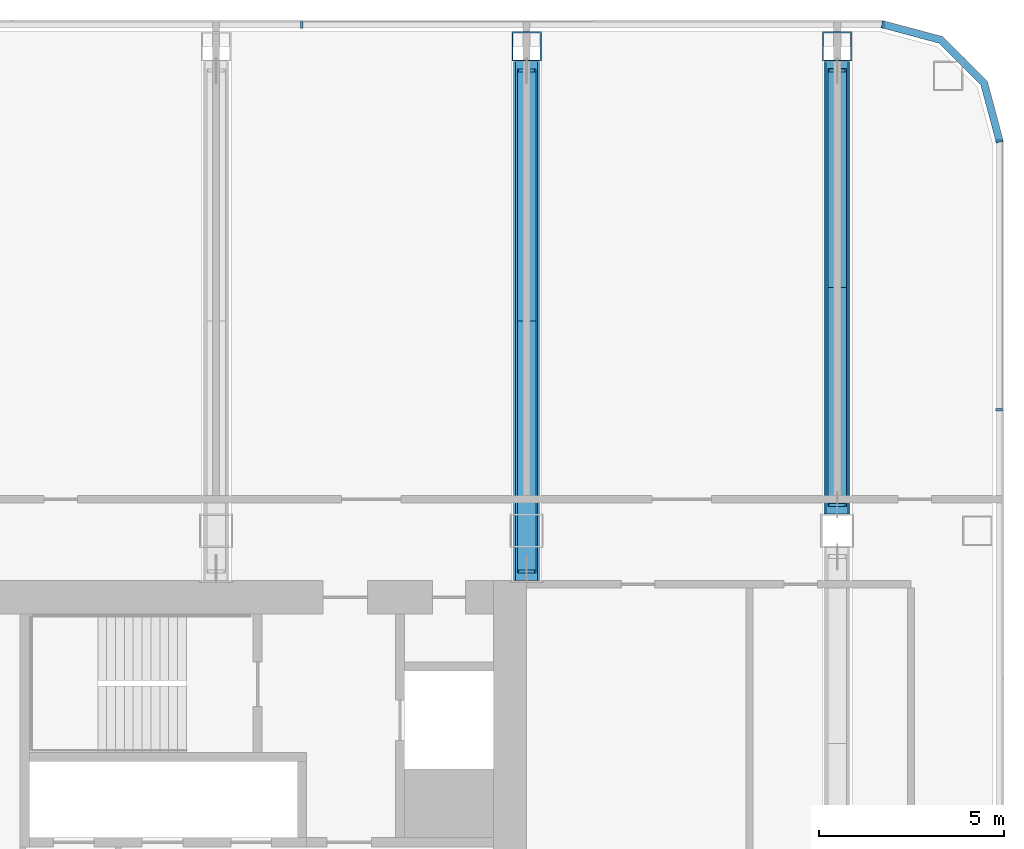
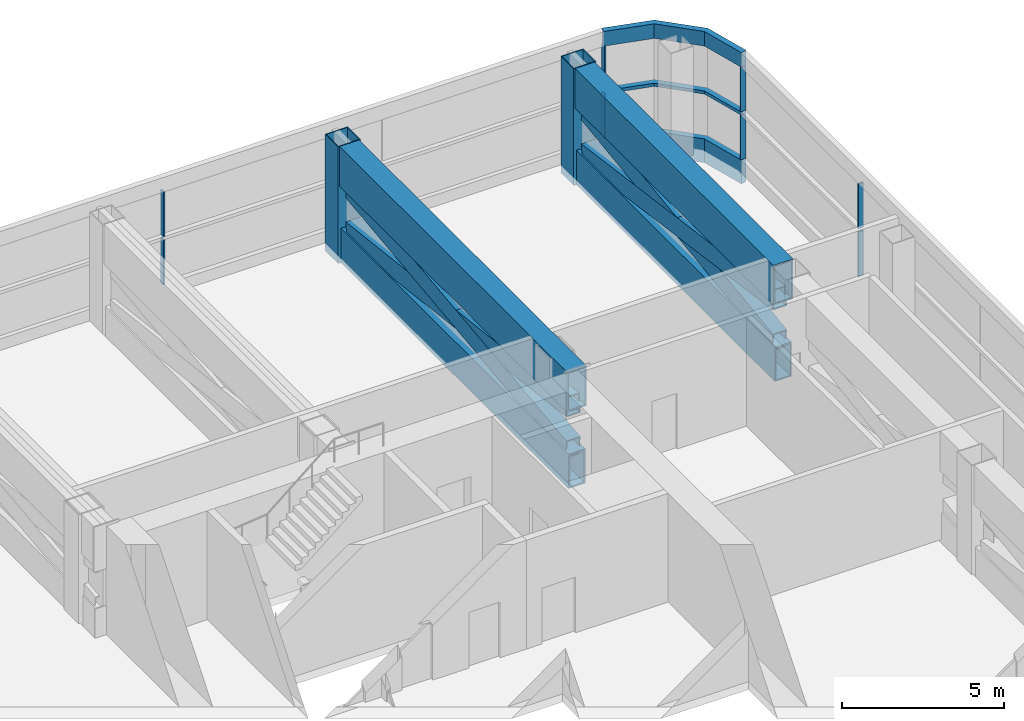
# One storey, part 16 of 31: 21 members, 3 elements without a shape of their own.
"""IFC4 building model written with IfcOpenShell, lengths in metres."""

from ifc_helpers import new_model, si_unit, direction, frame, origin, origin_2d, place, context, subcontext, project, spatial, polyline, rectangle, hollow_rectangle, outline, extrude, material, layer, layer_set, material_profile, profile_set, type_object, element, aggregate, save


model = new_model("IFC4")

# Units and contexts
model_context = context("Model", 3, precision=1e-05, world=origin(), true_north=direction((0.0, 1.0)))
body_context = subcontext(model_context, "Body", "Model", "MODEL_VIEW")
ifc_project = project(units=[si_unit("LENGTHUNIT", "METRE"), si_unit("AREAUNIT", "SQUARE_METRE"), si_unit("VOLUMEUNIT", "CUBIC_METRE"), si_unit("PLANEANGLEUNIT", "RADIAN"), si_unit("MASSUNIT", "GRAM", prefix="KILO")], contexts=[model_context])

# Site, building, storey
site_placement = place(None, origin())
site = spatial("IfcSite", under=ifc_project, at=site_placement, CompositionType="ELEMENT")
building_placement = place(site_placement, origin())
building = spatial("IfcBuilding", under=site, at=building_placement, Name="Hakoniwa Tower and Hamabe Station Hall", CompositionType="ELEMENT")
storey_placement = place(building_placement, frame((0.0, 0.0, 120.199951171875)))
storey = spatial("IfcBuildingStorey", under=building, at=storey_placement, Name="L34", CompositionType="ELEMENT", Elevation=120.199951171875)

# Curtain wall, members
ifc_material_1 = material(Name="Dark low-e laminated glass", Category="glass")
ifc_layer = layer(ifc_material_1, 0.199951171875)
ifc_layer_set = layer_set([ifc_layer], Name="CW-6 PLANT LOUVRE")
curtain_wall_type = type_object("IfcCurtainWallType", Name="CW-6 PLANT LOUVRE", PredefinedType="NOTDEFINED", material=ifc_layer_set)
curtain_wall_1_placement = place(storey_placement, origin())
curtain_wall_1 = element("IfcCurtainWall", 1, at=curtain_wall_1_placement, inside=storey, type_object=curtain_wall_type, Name="CW-6 curtain wall", PredefinedType="NOTDEFINED")
ifc_material_2 = material(Name="Aluminium 6063-T5 black anodised", Category="aluminium")
ifc_material_profile_1 = material_profile(ifc_material_2, rectangle(XDim=0.199951171875, YDim=0.550048828125, at=origin_2d()), Name="CW HEAD BAND 550X200")
ifc_profile_set_1 = profile_set([ifc_material_profile_1], Name="Aluminium 6063-T5 black anodised")
member_type_1 = type_object("IfcMemberType", Name="CW HEAD BAND 550X200", PredefinedType="USERDEFINED", material=ifc_profile_set_1)
member_1_placement = place(storey_placement, frame((0.0, 0.0, 3.85009765625)))
member_1 = element("IfcMember", 2, at=member_1_placement, type_object=member_type_1, Name="CW-6 transom", ObjectType="TRANSOM", PredefinedType="USERDEFINED", context=body_context, shape_type="SweptSolid", body=[
    extrude(outline(polyline([(46.5, 20.28955078125), (46.067138671875, 21.9052734375), (44.855224609375, 23.116943359375), (43.239501953125, 23.550048828125), (43.187744140625, 23.35693359375), (44.751708984375, 22.937744140625), (45.8876953125, 21.8017578125), (46.306884765625, 20.23779296875), (46.5, 20.28955078125)])), origin(), (0.0, 0.0, 1.0), 0.550048828125),
])
ifc_material_3 = material(Name="Aluminium 6063-T5 black anodised", Category="aluminium")
ifc_material_profile_2 = material_profile(ifc_material_3, rectangle(XDim=0.199951171875, YDim=0.1201171875, at=origin_2d()), Name="CW MID TRANSOM 120X200")
ifc_profile_set_2 = profile_set([ifc_material_profile_2], Name="Aluminium 6063-T5 black anodised")
member_type_2 = type_object("IfcMemberType", Name="CW MID TRANSOM 120X200", PredefinedType="USERDEFINED", material=ifc_profile_set_2)
member_2_placement = place(storey_placement, frame((0.0, 0.0, 2.0400390625)))
member_2 = element("IfcMember", 3, at=member_2_placement, type_object=member_type_2, Name="CW-6 transom", ObjectType="TRANSOM", PredefinedType="USERDEFINED", context=body_context, shape_type="SweptSolid", body=[
    extrude(outline(polyline([(46.5, 20.28955078125), (46.067138671875, 21.9052734375), (44.855224609375, 23.116943359375), (43.239501953125, 23.550048828125), (43.187744140625, 23.35693359375), (44.751708984375, 22.937744140625), (45.8876953125, 21.8017578125), (46.306884765625, 20.23779296875), (46.5, 20.28955078125)])), origin(), (0.0, 0.0, 1.0), 0.1201171875),
])
ifc_material_4 = material(Name="Aluminium 6063-T5 black anodised", Category="aluminium")
ifc_material_profile_3 = material_profile(ifc_material_4, rectangle(XDim=0.199951171875, YDim=0.89990234375, at=origin_2d()), Name="CW SLAB-EDGE BAND 900X200")
ifc_profile_set_3 = profile_set([ifc_material_profile_3], Name="Aluminium 6063-T5 black anodised")
member_type_3 = type_object("IfcMemberType", Name="CW SLAB-EDGE BAND 900X200", PredefinedType="USERDEFINED", material=ifc_profile_set_3)
member_3_placement = place(storey_placement, frame((0.0, 0.0, -0.550048828125)))
member_3 = element("IfcMember", 4, at=member_3_placement, type_object=member_type_3, Name="CW-6 transom", ObjectType="TRANSOM", PredefinedType="USERDEFINED", context=body_context, shape_type="SweptSolid", body=[
    extrude(outline(polyline([(46.5, 20.28955078125), (46.067138671875, 21.9052734375), (44.855224609375, 23.116943359375), (43.239501953125, 23.550048828125), (43.187744140625, 23.35693359375), (44.751708984375, 22.937744140625), (45.8876953125, 21.8017578125), (46.306884765625, 20.23779296875), (46.5, 20.28955078125)])), origin(), (0.0, 0.0, 1.0), 0.900146484375),
])
aggregate(curtain_wall_1, [member_3, member_2, member_1])

curtain_wall_2_placement = place(storey_placement, origin())
curtain_wall_2 = element("IfcCurtainWall", 5, at=curtain_wall_2_placement, inside=storey, type_object=curtain_wall_type, Name="CW-6 curtain wall", PredefinedType="NOTDEFINED")
ifc_material_5 = material(Name="Aluminium 6063-T5 black anodised", Category="aluminium")
ifc_material_profile_4 = material_profile(ifc_material_5, rectangle(XDim=0.06005859375, YDim=0.179931640625, at=origin_2d()), Name="CW-1 MULLION 60X180")
ifc_profile_set_4 = profile_set([ifc_material_profile_4], Name="Aluminium 6063-T5 black anodised")
member_type_4 = type_object("IfcMemberType", Name="CW-1 MULLION 60X180", PredefinedType="MULLION", material=ifc_profile_set_4)
member_4_placement = place(storey_placement, frame((46.382080078125, 13.023681640625, 0.35009765625), z_axis=(0.0, 0.0, 1.0), x_axis=(0.0, 1.0, 0.0)))
member_4 = element("IfcMember", 6, at=member_4_placement, type_object=member_type_4, Name="CW-6 mullion", PredefinedType="MULLION", context=body_context, shape_type="SweptSolid", body=[
    extrude(rectangle(XDim=0.06005859375, YDim=0.179931640625, at=origin_2d()), origin(), (0.0, 0.0, 1.0), 1.68994140625),
])
member_5_placement = place(storey_placement, frame((46.382080078125, 13.023681640625, 2.16015625), z_axis=(0.0, 0.0, 1.0), x_axis=(0.0, 1.0, 0.0)))
member_5 = element("IfcMember", 7, at=member_5_placement, type_object=member_type_4, Name="CW-6 mullion", PredefinedType="MULLION", context=body_context, shape_type="SweptSolid", body=[
    extrude(rectangle(XDim=0.06005859375, YDim=0.179931640625, at=origin_2d()), origin(), (0.0, 0.0, 1.0), 1.68994140625),
])
member_6_placement = place(storey_placement, frame((46.382080078125, 20.28955078125, 0.35009765625), z_axis=(0.0, 0.0, 1.0), x_axis=(0.0, 1.0, 0.0)))
member_6 = element("IfcMember", 8, at=member_6_placement, type_object=member_type_4, Name="CW-6 mullion", PredefinedType="MULLION", context=body_context, shape_type="SweptSolid", body=[
    extrude(rectangle(XDim=0.06005859375, YDim=0.179931640625, at=origin_2d()), origin(), (0.0, 0.0, 1.0), 1.68994140625),
])
member_7_placement = place(storey_placement, frame((46.382080078125, 20.28955078125, 2.16015625), z_axis=(0.0, 0.0, 1.0), x_axis=(0.0, 1.0, 0.0)))
member_7 = element("IfcMember", 9, at=member_7_placement, type_object=member_type_4, Name="CW-6 mullion", PredefinedType="MULLION", context=body_context, shape_type="SweptSolid", body=[
    extrude(rectangle(XDim=0.06005859375, YDim=0.179931640625, at=origin_2d()), origin(), (0.0, 0.0, 1.0), 1.68994140625),
])
aggregate(curtain_wall_2, [member_4, member_5, member_6, member_7])

curtain_wall_3_placement = place(storey_placement, origin())
curtain_wall_3 = element("IfcCurtainWall", 10, at=curtain_wall_3_placement, inside=storey, type_object=curtain_wall_type, Name="CW-6 curtain wall", PredefinedType="NOTDEFINED")
member_8_placement = place(storey_placement, frame((43.239501953125, 23.431884765625, 0.35009765625), z_axis=(0.0, 0.0, 1.0), x_axis=(-1.0, 0.0, 0.0)))
member_8 = element("IfcMember", 11, at=member_8_placement, type_object=member_type_4, Name="CW-6 mullion", PredefinedType="MULLION", context=body_context, shape_type="SweptSolid", body=[
    extrude(rectangle(XDim=0.06005859375, YDim=0.179931640625, at=origin_2d()), origin(), (0.0, 0.0, 1.0), 1.68994140625),
])
member_9_placement = place(storey_placement, frame((43.239501953125, 23.431884765625, 2.16015625), z_axis=(0.0, 0.0, 1.0), x_axis=(-1.0, 0.0, 0.0)))
member_9 = element("IfcMember", 12, at=member_9_placement, type_object=member_type_4, Name="CW-6 mullion", PredefinedType="MULLION", context=body_context, shape_type="SweptSolid", body=[
    extrude(rectangle(XDim=0.06005859375, YDim=0.179931640625, at=origin_2d()), origin(), (0.0, 0.0, 1.0), 1.68994140625),
])
member_10_placement = place(storey_placement, frame((27.51611328125, 23.431884765625, 0.35009765625), z_axis=(0.0, 0.0, 1.0), x_axis=(-1.0, 0.0, 0.0)))
member_10 = element("IfcMember", 13, at=member_10_placement, type_object=member_type_4, Name="CW-6 mullion", PredefinedType="MULLION", context=body_context, shape_type="SweptSolid", body=[
    extrude(rectangle(XDim=0.06005859375, YDim=0.179931640625, at=origin_2d()), origin(), (0.0, 0.0, 1.0), 1.68994140625),
])
member_11_placement = place(storey_placement, frame((27.51611328125, 23.431884765625, 2.16015625), z_axis=(0.0, 0.0, 1.0), x_axis=(-1.0, 0.0, 0.0)))
member_11 = element("IfcMember", 14, at=member_11_placement, type_object=member_type_4, Name="CW-6 mullion", PredefinedType="MULLION", context=body_context, shape_type="SweptSolid", body=[
    extrude(rectangle(XDim=0.06005859375, YDim=0.179931640625, at=origin_2d()), origin(), (0.0, 0.0, 1.0), 1.68994140625),
])
aggregate(curtain_wall_3, [member_8, member_9, member_10, member_11])

# Members
ifc_material_6 = material(Name="Steel SN490C", Category="steel")
ifc_material_profile_5 = material_profile(ifc_material_6, hollow_rectangle(XDim=0.60009765625, YDim=1.300048828125, WallThickness=0.050048828125, at=origin_2d()), Name="BX-1300x600x50")
ifc_profile_set_5 = profile_set([ifc_material_profile_5], Name="Steel SN490C")
member_type_5 = type_object("IfcMemberType", Name="TRUSS CHORD BX-1300x600x50", PredefinedType="CHORD", material=ifc_profile_set_5)
member_12_placement = place(storey_placement, frame((33.60009765625, 8.39990234375, 0.35009765625), z_axis=(0.0, 1.0, 0.0), x_axis=(-1.0, 0.0, 0.0)))
element("IfcMember", 15, at=member_12_placement, inside=storey, type_object=member_type_5, Name="Truss T2-19-BC01", PredefinedType="CHORD", context=body_context, shape_type="SweptSolid", body=[
    extrude(hollow_rectangle(XDim=0.60009765625, YDim=1.300048828125, WallThickness=0.050048828125, at=origin_2d()), origin(), (0.0, 0.0, 1.0), 14.050048828125),
])
member_13_placement = place(storey_placement, frame((42.0, 10.199951171875, 0.35009765625), z_axis=(0.0, 1.0, 0.0), x_axis=(-1.0, 0.0, 0.0)))
element("IfcMember", 16, at=member_13_placement, inside=storey, type_object=member_type_5, Name="Truss T2-21-BC03", PredefinedType="CHORD", context=body_context, shape_type="SweptSolid", body=[
    extrude(hollow_rectangle(XDim=0.60009765625, YDim=1.300048828125, WallThickness=0.050048828125, at=origin_2d()), origin(), (0.0, 0.0, 1.0), 12.25),
])
ifc_material_7 = material(Name="Steel SN490C", Category="steel")
ifc_material_profile_6 = material_profile(ifc_material_7, hollow_rectangle(XDim=0.699951171875, YDim=1.5, WallThickness=0.054931640625, at=origin_2d()), Name="BX-1500x700x55")
ifc_profile_set_6 = profile_set([ifc_material_profile_6], Name="Steel SN490C")
member_type_6 = type_object("IfcMemberType", Name="TRUSS CHORD BX-1500x700x55", PredefinedType="CHORD", material=ifc_profile_set_6)
member_14_placement = place(storey_placement, frame((33.60009765625, 8.39990234375, 3.35009765625), z_axis=(0.0, 1.0, 0.0), x_axis=(-1.0, 0.0, 0.0)))
element("IfcMember", 17, at=member_14_placement, inside=storey, type_object=member_type_6, Name="Truss T2-19-TC01", PredefinedType="CHORD", context=body_context, shape_type="SweptSolid", body=[
    extrude(hollow_rectangle(XDim=0.699951171875, YDim=1.5, WallThickness=0.054931640625, at=origin_2d()), origin(), (0.0, 0.0, 1.0), 14.050048828125),
])
member_15_placement = place(storey_placement, frame((42.0, 10.199951171875, 3.35009765625), z_axis=(0.0, 1.0, 0.0), x_axis=(-1.0, 0.0, 0.0)))
element("IfcMember", 18, at=member_15_placement, inside=storey, type_object=member_type_6, Name="Truss T2-21-TC03", PredefinedType="CHORD", context=body_context, shape_type="SweptSolid", body=[
    extrude(hollow_rectangle(XDim=0.699951171875, YDim=1.5, WallThickness=0.054931640625, at=origin_2d()), origin(), (0.0, 0.0, 1.0), 12.25),
])
ifc_material_8 = material(Name="Steel SN490C", Category="steel")
ifc_material_profile_7 = material_profile(ifc_material_8, hollow_rectangle(XDim=0.5, YDim=0.699951171875, WallThickness=0.031982421875, at=origin_2d()), Name="BX-700x500x32")
ifc_profile_set_7 = profile_set([ifc_material_profile_7], Name="Steel SN490C")
member_type_7 = type_object("IfcMemberType", Name="TRUSS DIAGONAL BX-700x500x32", PredefinedType="BRACE", material=ifc_profile_set_7)
for number, where, z_axis, x_axis, name in (
    (19, (33.60009765625, 8.64990234375, 1.0), (0.0, 0.993099700587, 0.117273120082), (-1.0, 0.0, 0.0), "Truss T2-19-D01a"),
    (20, (33.60009765625, 8.64990234375, 2.60009765625), (0.0, 0.993099700587, -0.117273120082), (-1.0, 0.0, 0.0), "Truss T2-19-D01b"),
):
    element("IfcMember", number, at=place(storey_placement, frame(where, z_axis=z_axis, x_axis=x_axis)), inside=storey, type_object=member_type_7, Name=name, PredefinedType="BRACE", context=body_context, shape_type="SweptSolid", body=[
        extrude(hollow_rectangle(XDim=0.5, YDim=0.699951171875, WallThickness=0.031982421875, at=origin_2d()), origin(), (0.0, 0.0, 1.0), 13.644287109375),
    ])
for number, where, z_axis, x_axis, name in (
    (21, (42.0, 10.449951171875, 1.0), (0.0, 0.99085470683, 0.134933131411), (-1.0, 0.0, 0.0), "Truss T2-21-D03a"),
    (22, (42.0, 10.449951171875, 2.60009765625), (0.0, 0.99085470683, -0.134933131411), (-1.0, 0.0, 0.0), "Truss T2-21-D03b"),
):
    element("IfcMember", number, at=place(storey_placement, frame(where, z_axis=z_axis, x_axis=x_axis)), inside=storey, type_object=member_type_7, Name=name, PredefinedType="BRACE", context=body_context, shape_type="SweptSolid", body=[
        extrude(hollow_rectangle(XDim=0.5, YDim=0.699951171875, WallThickness=0.031982421875, at=origin_2d()), origin(), (0.0, 0.0, 1.0), 11.8583984375),
    ])
ifc_material_9 = material(Name="Steel SN490C", Category="steel")
ifc_material_profile_8 = material_profile(ifc_material_9, hollow_rectangle(XDim=0.800048828125, YDim=0.800048828125, WallThickness=0.031982421875, at=origin_2d()), Name="BX-800x800x32")
ifc_profile_set_8 = profile_set([ifc_material_profile_8], Name="Steel SN490C")
member_type_8 = type_object("IfcMemberType", Name="TRUSS POST BX-800x800x32", PredefinedType="POST", material=ifc_profile_set_8)
for number, where, z_axis, x_axis, name in (
    (23, (33.60009765625, 22.85009765625, -0.300048828125), (0.0, 0.0, 1.0), (1.0, 0.0, 0.0), "Truss T2-19-P03"),
    (24, (42.0, 22.85009765625, -0.300048828125), (0.0, 0.0, 1.0), (1.0, 0.0, 0.0), "Truss T2-21-P04"),
):
    element("IfcMember", number, at=place(storey_placement, frame(where, z_axis=z_axis, x_axis=x_axis)), inside=storey, type_object=member_type_8, Name=name, PredefinedType="POST", context=body_context, shape_type="SweptSolid", body=[
        extrude(hollow_rectangle(XDim=0.800048828125, YDim=0.800048828125, WallThickness=0.031982421875, at=origin_2d()), origin(), (0.0, 0.0, 1.0), 4.400146484375),
    ])

save(model, "model.ifc")
